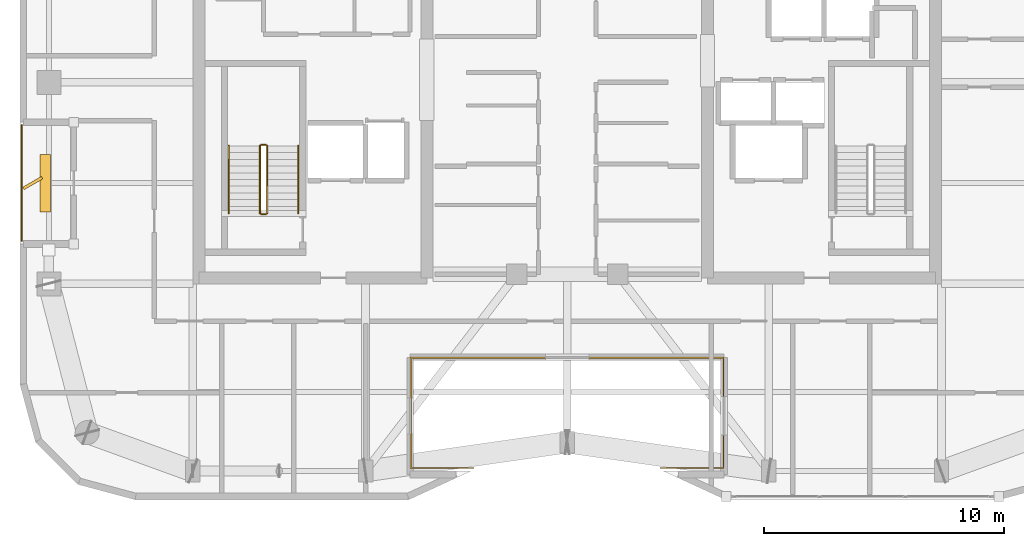
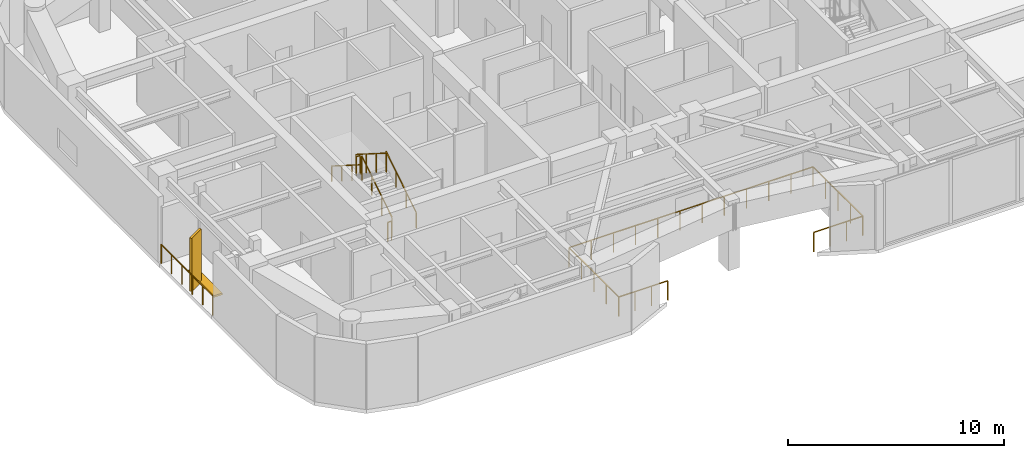
# One storey, part 15 of 16: 8 railings, 2 shading devices.
"""IFC4 building model written with IfcOpenShell, lengths in metres."""

from ifc_helpers import new_model, si_unit, direction, frame, origin, origin_2d, place, context, subcontext, project, spatial, rectangle, extrude, material, type_object, element, save


model = new_model("IFC4")

# Units and contexts
model_context = context("Model", 3, precision=1e-05, world=origin(), true_north=direction((0.0, 1.0)))
body_context = subcontext(model_context, "Body", "Model", "MODEL_VIEW")
ifc_project = project(units=[si_unit("LENGTHUNIT", "METRE"), si_unit("AREAUNIT", "SQUARE_METRE"), si_unit("VOLUMEUNIT", "CUBIC_METRE"), si_unit("PLANEANGLEUNIT", "RADIAN"), si_unit("MASSUNIT", "GRAM", prefix="KILO")], contexts=[model_context])

# Site, building, storey
site_placement = place(None, origin())
site = spatial("IfcSite", under=ifc_project, at=site_placement, CompositionType="ELEMENT")
building_placement = place(site_placement, origin())
building = spatial("IfcBuilding", under=site, at=building_placement, Name="Kiyonajd Concourse Tower", CompositionType="ELEMENT")
storey_placement = place(building_placement, frame((0.0, 0.0, 298.5)))
storey = spatial("IfcBuildingStorey", under=building, at=storey_placement, Name="L75", CompositionType="ELEMENT", Elevation=298.5)

# Railings
ifc_material_1 = material(Name="Thermally Broken Anodised Aluminium", Category="aluminium")
railing_type_1 = type_object("IfcRailingType", Name="RL-BAL-1100", PredefinedType="BALUSTRADE", material=ifc_material_1)
railing_1_placement = place(storey_placement, frame((44.10009765625, 19.919921875, 0.0)))
element("IfcRailing", 1, at=railing_1_placement, inside=storey, type_object=railing_type_1, Name="L75 Summit Horizon Sky Garden Upper Overlook Balustrade", PredefinedType="BALUSTRADE", context=body_context, shape_type="SweptSolid", body=[
    extrude(rectangle(XDim=0.048095703125, YDim=0.048095703125, at=origin_2d()), frame((0.0, 0.0, 1.09619140625), z_axis=(-1.0, 0.0, 0.0), x_axis=(0.0, -1.0, 0.0)), (0.0, 0.0, 1.0), 2.6201171875),
    extrude(rectangle(XDim=0.048095703125, YDim=0.048095703125, at=origin_2d()), frame((-2.6201171875, 0.0, 1.09619140625), z_axis=(0.0, 1.0, 0.0), x_axis=(-1.0, 0.0, 0.0)), (0.0, 0.0, 1.0), 4.60009765625),
    extrude(rectangle(XDim=0.048095703125, YDim=0.048095703125, at=origin_2d()), frame((-2.6201171875, 4.60009765625, 1.09619140625), z_axis=(1.0, 0.0, 0.0), x_axis=(0.0, 1.0, 0.0)), (0.0, 0.0, 1.0), 13.0400390625),
    extrude(rectangle(XDim=0.048095703125, YDim=0.048095703125, at=origin_2d()), frame((10.419921875, 4.60009765625, 1.09619140625), z_axis=(0.0, -1.0, 0.0), x_axis=(1.0, 0.0, 0.0)), (0.0, 0.0, 1.0), 4.60009765625),
    extrude(rectangle(XDim=0.048095703125, YDim=0.048095703125, at=origin_2d()), frame((10.419921875, 0.0, 1.09619140625), z_axis=(-1.0, 0.0, 0.0), x_axis=(0.0, -1.0, 0.0)), (0.0, 0.0, 1.0), 2.6201171875),
    extrude(rectangle(XDim=0.0419921875, YDim=0.0419921875, at=origin_2d()), origin(), (0.0, 0.0, 1.0), 1.072021484375),
    extrude(rectangle(XDim=0.0419921875, YDim=0.0419921875, at=origin_2d()), frame((-0.873291015625, 0.0, 0.0)), (0.0, 0.0, 1.0), 1.072021484375),
    extrude(rectangle(XDim=0.0419921875, YDim=0.0419921875, at=origin_2d()), frame((-1.746826171875, 0.0, 0.0)), (0.0, 0.0, 1.0), 1.072021484375),
    extrude(rectangle(XDim=0.0419921875, YDim=0.0419921875, at=origin_2d()), frame((-2.6201171875, 0.0, 0.0)), (0.0, 0.0, 1.0), 1.072021484375),
    extrude(rectangle(XDim=0.0419921875, YDim=0.0419921875, at=origin_2d()), frame((-2.6201171875, 1.14990234375, 0.0)), (0.0, 0.0, 1.0), 1.072021484375),
    extrude(rectangle(XDim=0.0419921875, YDim=0.0419921875, at=origin_2d()), frame((-2.6201171875, 2.300048828125, 0.0)), (0.0, 0.0, 1.0), 1.072021484375),
    extrude(rectangle(XDim=0.0419921875, YDim=0.0419921875, at=origin_2d()), frame((-2.6201171875, 3.4501953125, 0.0)), (0.0, 0.0, 1.0), 1.072021484375),
    extrude(rectangle(XDim=0.0419921875, YDim=0.0419921875, at=origin_2d()), frame((-2.6201171875, 4.60009765625, 0.0)), (0.0, 0.0, 1.0), 1.072021484375),
    extrude(rectangle(XDim=0.0419921875, YDim=0.0419921875, at=origin_2d()), frame((-1.4345703125, 4.60009765625, 0.0)), (0.0, 0.0, 1.0), 1.072021484375),
    extrude(rectangle(XDim=0.0419921875, YDim=0.0419921875, at=origin_2d()), frame((-0.249267578125, 4.60009765625, 0.0)), (0.0, 0.0, 1.0), 1.072021484375),
    extrude(rectangle(XDim=0.0419921875, YDim=0.0419921875, at=origin_2d()), frame((0.936279296875, 4.60009765625, 0.0)), (0.0, 0.0, 1.0), 1.072021484375),
    extrude(rectangle(XDim=0.0419921875, YDim=0.0419921875, at=origin_2d()), frame((2.121826171875, 4.60009765625, 0.0)), (0.0, 0.0, 1.0), 1.072021484375),
    extrude(rectangle(XDim=0.0419921875, YDim=0.0419921875, at=origin_2d()), frame((3.30712890625, 4.60009765625, 0.0)), (0.0, 0.0, 1.0), 1.072021484375),
    extrude(rectangle(XDim=0.0419921875, YDim=0.0419921875, at=origin_2d()), frame((4.49267578125, 4.60009765625, 0.0)), (0.0, 0.0, 1.0), 1.072021484375),
    extrude(rectangle(XDim=0.0419921875, YDim=0.0419921875, at=origin_2d()), frame((5.677978515625, 4.60009765625, 0.0)), (0.0, 0.0, 1.0), 1.072021484375),
    extrude(rectangle(XDim=0.0419921875, YDim=0.0419921875, at=origin_2d()), frame((6.863525390625, 4.60009765625, 0.0)), (0.0, 0.0, 1.0), 1.072021484375),
    extrude(rectangle(XDim=0.0419921875, YDim=0.0419921875, at=origin_2d()), frame((8.049072265625, 4.60009765625, 0.0)), (0.0, 0.0, 1.0), 1.072021484375),
    extrude(rectangle(XDim=0.0419921875, YDim=0.0419921875, at=origin_2d()), frame((9.234375, 4.60009765625, 0.0)), (0.0, 0.0, 1.0), 1.072021484375),
    extrude(rectangle(XDim=0.0419921875, YDim=0.0419921875, at=origin_2d()), frame((10.419921875, 4.60009765625, 0.0)), (0.0, 0.0, 1.0), 1.072021484375),
    extrude(rectangle(XDim=0.0419921875, YDim=0.0419921875, at=origin_2d()), frame((10.419921875, 3.4501953125, 0.0)), (0.0, 0.0, 1.0), 1.072021484375),
    extrude(rectangle(XDim=0.0419921875, YDim=0.0419921875, at=origin_2d()), frame((10.419921875, 2.300048828125, 0.0)), (0.0, 0.0, 1.0), 1.072021484375),
    extrude(rectangle(XDim=0.0419921875, YDim=0.0419921875, at=origin_2d()), frame((10.419921875, 1.14990234375, 0.0)), (0.0, 0.0, 1.0), 1.072021484375),
    extrude(rectangle(XDim=0.0419921875, YDim=0.0419921875, at=origin_2d()), frame((10.419921875, 0.0, 0.0)), (0.0, 0.0, 1.0), 1.072021484375),
    extrude(rectangle(XDim=0.0419921875, YDim=0.0419921875, at=origin_2d()), frame((9.546630859375, 0.0, 0.0)), (0.0, 0.0, 1.0), 1.072021484375),
    extrude(rectangle(XDim=0.0419921875, YDim=0.0419921875, at=origin_2d()), frame((8.673095703125, 0.0, 0.0)), (0.0, 0.0, 1.0), 1.072021484375),
    extrude(rectangle(XDim=0.0419921875, YDim=0.0419921875, at=origin_2d()), frame((7.7998046875, 0.0, 0.0)), (0.0, 0.0, 1.0), 1.072021484375),
])
railing_type_2 = type_object("IfcRailingType", Name="RL-GRD-LOG", PredefinedType="GUARDRAIL", material=ifc_material_1)
railing_2_placement = place(storey_placement, frame((25.280029296875, 34.199951171875, 0.0)))
element("IfcRailing", 2, at=railing_2_placement, inside=storey, type_object=railing_type_2, Name="L75 Engawa Loggia Perimeter Guard LOG-W", PredefinedType="GUARDRAIL", context=body_context, shape_type="SweptSolid", body=[
    extrude(rectangle(XDim=0.048095703125, YDim=0.048095703125, at=origin_2d()), frame((0.0, 0.0, 1.076171875), z_axis=(0.0, -1.0, 0.0), x_axis=(1.0, 0.0, 0.0)), (0.0, 0.0, 1.0), 4.800048828125),
    extrude(rectangle(XDim=0.0419921875, YDim=0.0419921875, at=origin_2d()), origin(), (0.0, 0.0, 1.0), 1.052001953125),
    extrude(rectangle(XDim=0.0419921875, YDim=0.0419921875, at=origin_2d()), frame((0.0, -0.9599609375, 0.0)), (0.0, 0.0, 1.0), 1.052001953125),
    extrude(rectangle(XDim=0.0419921875, YDim=0.0419921875, at=origin_2d()), frame((0.0, -1.919921875, 0.0)), (0.0, 0.0, 1.0), 1.052001953125),
    extrude(rectangle(XDim=0.0419921875, YDim=0.0419921875, at=origin_2d()), frame((0.0, -2.880126953125, 0.0)), (0.0, 0.0, 1.0), 1.052001953125),
    extrude(rectangle(XDim=0.0419921875, YDim=0.0419921875, at=origin_2d()), frame((0.0, -3.840087890625, 0.0)), (0.0, 0.0, 1.0), 1.052001953125),
    extrude(rectangle(XDim=0.0419921875, YDim=0.0419921875, at=origin_2d()), frame((0.0, -4.800048828125, 0.0)), (0.0, 0.0, 1.0), 1.052001953125),
])
ifc_material_2 = material(Name="Steel ASTM A500 Grade C", Category="steel")
railing_type_3 = type_object("IfcRailingType", Name="RL-GRD-STR", PredefinedType="GUARDRAIL", material=ifc_material_2)
railing_3_placement = place(storey_placement, frame((35.5, 30.550048828125, 0.17724609375)))
element("IfcRailing", 3, at=railing_3_placement, inside=storey, type_object=railing_type_3, Name="L75 ST1 stair guard 1", PredefinedType="GUARDRAIL", context=body_context, shape_type="SweptSolid", body=[
    extrude(rectangle(XDim=0.048095703125, YDim=0.048095703125, at=origin_2d()), frame((0.0, 0.0, 1.076171875), z_axis=(0.0, 0.844908973607, 0.534910110503), x_axis=(-1.0, 0.0, 0.0)), (0.0, 0.0, 1.0), 3.31396484375),
    extrude(rectangle(XDim=0.0419921875, YDim=0.0419921875, at=origin_2d()), origin(), (0.0, 0.0, 1.0), 1.052001953125),
    extrude(rectangle(XDim=0.0419921875, YDim=0.0419921875, at=origin_2d()), frame((0.0, 0.933349609375, 0.5908203125)), (0.0, 0.0, 1.0), 1.052001953125),
    extrude(rectangle(XDim=0.0419921875, YDim=0.0419921875, at=origin_2d()), frame((0.0, 1.86669921875, 1.181884765625)), (0.0, 0.0, 1.0), 1.052001953125),
    extrude(rectangle(XDim=0.0419921875, YDim=0.0419921875, at=origin_2d()), frame((0.0, 2.800048828125, 1.772705078125)), (0.0, 0.0, 1.0), 1.052001953125),
])
railing_4_placement = place(storey_placement, frame((35.449951171875, 33.39990234375, 1.949951171875)))
element("IfcRailing", 4, at=railing_4_placement, inside=storey, type_object=railing_type_3, Name="L75 ST1 stair guard 2", PredefinedType="GUARDRAIL", context=body_context, shape_type="SweptSolid", body=[
    extrude(rectangle(XDim=0.048095703125, YDim=0.048095703125, at=origin_2d()), frame((0.0, 0.0, 1.076171875), z_axis=(-1.0, 0.0, 0.0), x_axis=(0.0, -1.0, 0.0)), (0.0, 0.0, 1.0), 0.199951171875),
    extrude(rectangle(XDim=0.0419921875, YDim=0.0419921875, at=origin_2d()), origin(), (0.0, 0.0, 1.0), 1.052001953125),
    extrude(rectangle(XDim=0.0419921875, YDim=0.0419921875, at=origin_2d()), frame((-0.199951171875, 0.0, 0.0)), (0.0, 0.0, 1.0), 1.052001953125),
])
railing_5_placement = place(storey_placement, frame((35.199951171875, 33.35009765625, 2.127197265625)))
element("IfcRailing", 5, at=railing_5_placement, inside=storey, type_object=railing_type_3, Name="L75 ST1 stair guard 3", PredefinedType="GUARDRAIL", context=body_context, shape_type="SweptSolid", body=[
    extrude(rectangle(XDim=0.048095703125, YDim=0.048095703125, at=origin_2d()), frame((0.0, 0.0, 1.076171875), z_axis=(0.0, -0.844908973607, 0.534910110503), x_axis=(1.0, 0.0, 0.0)), (0.0, 0.0, 1.0), 3.31396484375),
    extrude(rectangle(XDim=0.0419921875, YDim=0.0419921875, at=origin_2d()), origin(), (0.0, 0.0, 1.0), 1.052001953125),
    extrude(rectangle(XDim=0.0419921875, YDim=0.0419921875, at=origin_2d()), frame((0.0, -0.933349609375, 0.5908203125)), (0.0, 0.0, 1.0), 1.052001953125),
    extrude(rectangle(XDim=0.0419921875, YDim=0.0419921875, at=origin_2d()), frame((0.0, -1.86669921875, 1.181884765625)), (0.0, 0.0, 1.0), 1.052001953125),
    extrude(rectangle(XDim=0.0419921875, YDim=0.0419921875, at=origin_2d()), frame((0.0, -2.800048828125, 1.772705078125)), (0.0, 0.0, 1.0), 1.052001953125),
])
railing_6_placement = place(storey_placement, frame((35.449951171875, 30.5, 0.0)))
element("IfcRailing", 6, at=railing_6_placement, inside=storey, type_object=railing_type_3, Name="L75 ST1 stair guard 4", PredefinedType="GUARDRAIL", context=body_context, shape_type="SweptSolid", body=[
    extrude(rectangle(XDim=0.048095703125, YDim=0.048095703125, at=origin_2d()), frame((0.0, 0.0, 1.076171875), z_axis=(-1.0, 0.0, 0.0), x_axis=(0.0, -1.0, 0.0)), (0.0, 0.0, 1.0), 0.199951171875),
    extrude(rectangle(XDim=0.0419921875, YDim=0.0419921875, at=origin_2d()), origin(), (0.0, 0.0, 1.0), 1.052001953125),
    extrude(rectangle(XDim=0.0419921875, YDim=0.0419921875, at=origin_2d()), frame((-0.199951171875, 0.0, 0.0)), (0.0, 0.0, 1.0), 1.052001953125),
])
ifc_material_3 = material(Name="Brushed Stainless Steel Cab Assembly", Category="steel")
railing_type_4 = type_object("IfcRailingType", Name="RL-HND-900", PredefinedType="HANDRAIL", material=ifc_material_3)
railing_7_placement = place(storey_placement, frame((36.800048828125, 30.550048828125, 0.17724609375)))
element("IfcRailing", 7, at=railing_7_placement, inside=storey, type_object=railing_type_4, Name="L75 ST1 stair handrail 1", PredefinedType="HANDRAIL", context=body_context, shape_type="SweptSolid", body=[
    extrude(rectangle(XDim=0.048095703125, YDim=0.048095703125, at=origin_2d()), frame((0.0, 0.0, 0.8759765625), z_axis=(0.0, 0.844908973607, 0.534910110503), x_axis=(-1.0, 0.0, 0.0)), (0.0, 0.0, 1.0), 3.31396484375),
    extrude(rectangle(XDim=0.0419921875, YDim=0.0419921875, at=origin_2d()), origin(), (0.0, 0.0, 1.0), 0.851806640625),
    extrude(rectangle(XDim=0.0419921875, YDim=0.0419921875, at=origin_2d()), frame((0.0, 0.933349609375, 0.5908203125)), (0.0, 0.0, 1.0), 0.851806640625),
    extrude(rectangle(XDim=0.0419921875, YDim=0.0419921875, at=origin_2d()), frame((0.0, 1.86669921875, 1.181884765625)), (0.0, 0.0, 1.0), 0.851806640625),
    extrude(rectangle(XDim=0.0419921875, YDim=0.0419921875, at=origin_2d()), frame((0.0, 2.800048828125, 1.772705078125)), (0.0, 0.0, 1.0), 0.851806640625),
])
railing_8_placement = place(storey_placement, frame((33.89990234375, 33.35009765625, 2.127197265625)))
element("IfcRailing", 8, at=railing_8_placement, inside=storey, type_object=railing_type_4, Name="L75 ST1 stair handrail 2", PredefinedType="HANDRAIL", context=body_context, shape_type="SweptSolid", body=[
    extrude(rectangle(XDim=0.048095703125, YDim=0.048095703125, at=origin_2d()), frame((0.0, 0.0, 0.8759765625), z_axis=(0.0, -0.844908973607, 0.534910110503), x_axis=(1.0, 0.0, 0.0)), (0.0, 0.0, 1.0), 3.31396484375),
    extrude(rectangle(XDim=0.0419921875, YDim=0.0419921875, at=origin_2d()), origin(), (0.0, 0.0, 1.0), 0.851806640625),
    extrude(rectangle(XDim=0.0419921875, YDim=0.0419921875, at=origin_2d()), frame((0.0, -0.933349609375, 0.5908203125)), (0.0, 0.0, 1.0), 0.851806640625),
    extrude(rectangle(XDim=0.0419921875, YDim=0.0419921875, at=origin_2d()), frame((0.0, -1.86669921875, 1.181884765625)), (0.0, 0.0, 1.0), 0.851806640625),
    extrude(rectangle(XDim=0.0419921875, YDim=0.0419921875, at=origin_2d()), frame((0.0, -2.800048828125, 1.772705078125)), (0.0, 0.0, 1.0), 0.851806640625),
])

# Shading devices
ifc_material_4 = material(Name="Precast concrete C50/60", Category="concrete")
shading_device_type_1 = type_object("IfcShadingDeviceType", Name="SH-FIN-900", PredefinedType="USERDEFINED", material=ifc_material_4)
shading_device_1_placement = place(storey_placement, frame((25.72998046875, 31.800048828125, 0.0), z_axis=(0.0, 0.0, 1.0), x_axis=(0.866025403784, 0.5, 0.0)))
element("IfcShadingDevice", 9, at=shading_device_1_placement, inside=storey, type_object=shading_device_type_1, Name="L75 Angled Koshi Solar Fin LOG-W", ObjectType="FIN", PredefinedType="USERDEFINED", context=body_context, shape_type="SweptSolid", body=[
    extrude(rectangle(XDim=0.89990234375, YDim=0.1201171875, at=origin_2d()), origin(), (0.0, 0.0, 1.0), 3.0),
])
shading_device_type_2 = type_object("IfcShadingDeviceType", Name="SH-LVR-600", PredefinedType="JALOUSIE", material=ifc_material_1)
shading_device_2_placement = place(storey_placement, frame((26.25, 31.800048828125, 0.0), z_axis=(0.0, 0.0, 1.0), x_axis=(0.0, 1.0, 0.0)))
element("IfcShadingDevice", 10, at=shading_device_2_placement, inside=storey, type_object=shading_device_type_2, Name="L75 Loggia Threshold Louver LOG-W", PredefinedType="JALOUSIE", context=body_context, shape_type="SweptSolid", body=[
    extrude(rectangle(XDim=2.39990234375, YDim=0.449951171875, at=origin_2d()), origin(), (0.0, 0.0, 1.0), 0.10009765625),
])

save(model, "model.ifc")
